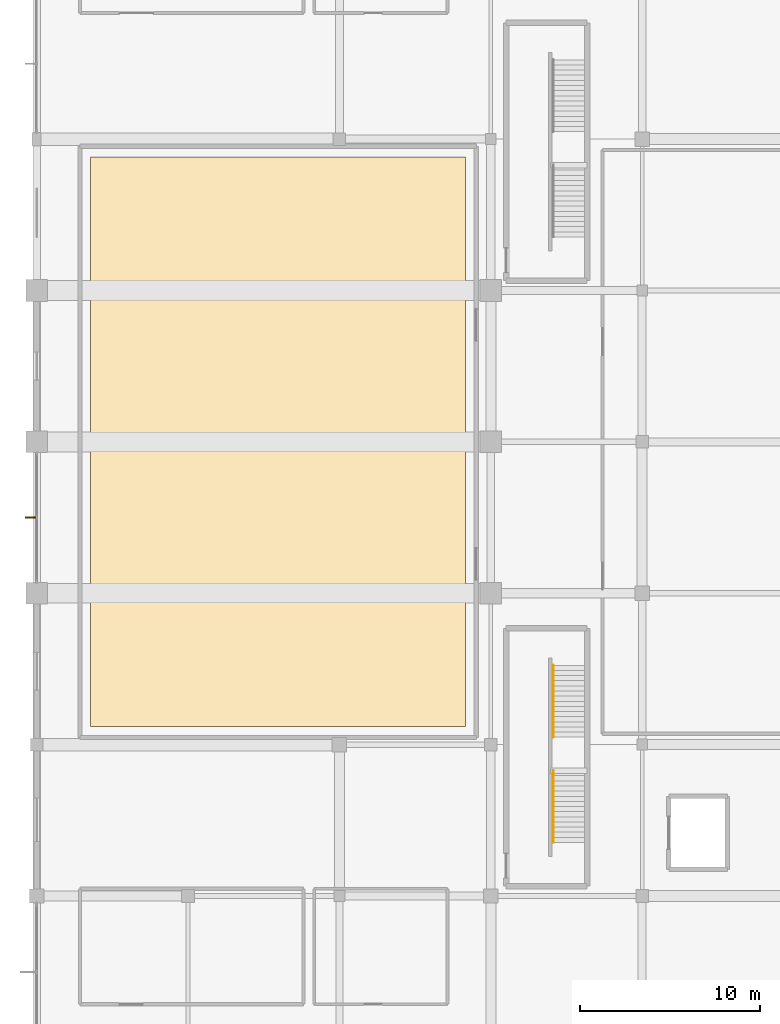
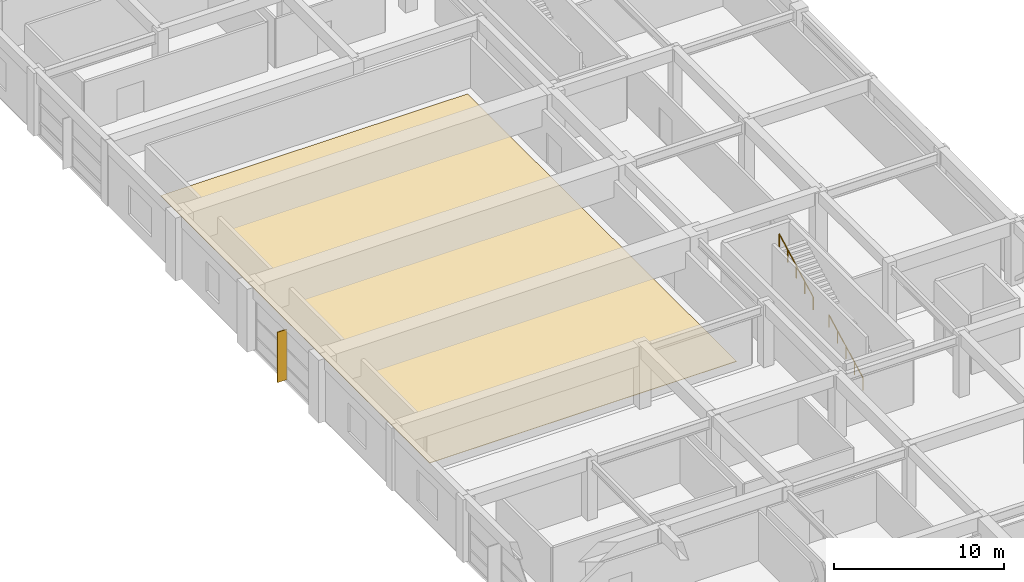
# One storey, part 59 of 65: 2 railings, 1 covering, 1 shading device.
"""IFC4 building model written with IfcOpenShell, lengths in metres."""

import ifcopenshell
import ifcopenshell.guid

model = None  # the IFC model being written
_history = None  # IfcOwnerHistory: only IFC2X3 demands one
_inside = {}  # id of a spatial element -> (the spatial element, [elements in it])
_under = {}  # id of a project, library or spatial element -> (it, [spatial elements below it])
_declared = {}  # id of a project -> (the project, [libraries it declares])
_typed = {}  # id of a type object -> (the type object, [elements of that type])
_made_of = {}  # id of a material, layer set ... -> (it, [elements and type objects made of it])


def new_model(schema):
    """Start an empty IFC model of exactly this schema.

    Asked for "IFC4X3", IfcOpenShell would pick the latest addendum, in which some entities
    have other attributes; the version numbers below select the first issue.
    IFC2X3 requires an IfcOwnerHistory on every rooted entity: one is made here for all.
    """
    global model, _history
    if schema == "IFC4X3":
        model = ifcopenshell.file(schema_version=(4, 3, 0, 0))
    else:
        model = ifcopenshell.file(schema=schema)
    _inside.clear()
    _under.clear()
    _declared.clear()
    _typed.clear()
    _made_of.clear()
    _history = None
    if model.schema == "IFC2X3":
        org = make("IfcOrganization", Name="unknown")
        user = make(
            "IfcPersonAndOrganization",
            ThePerson=make("IfcPerson", FamilyName="unknown"),
            TheOrganization=org,
        )
        app = make(
            "IfcApplication",
            ApplicationDeveloper=org,
            Version="unknown",
            ApplicationFullName="unknown",
            ApplicationIdentifier="unknown",
        )
        _history = make(
            "IfcOwnerHistory",
            OwningUser=user,
            OwningApplication=app,
            ChangeAction="ADDED",
            CreationDate=0,
        )
    return model


def make(cls, **values):
    """One entity of the class cls with the attributes given. An attribute that is None is left unset."""
    return model.create_entity(
        cls, **{name: value for name, value in values.items() if value is not None}
    )


def rooted(cls, **values):
    """An entity with a GlobalId (a new one), such as an element, a storey or a relation."""
    return make(cls, GlobalId=ifcopenshell.guid.new(), OwnerHistory=_history, **values)


def si_unit(unit_type, name, prefix=None):
    """IfcSIUnit, for example si_unit("LENGTHUNIT", "METRE", prefix="MILLI")."""
    return make("IfcSIUnit", UnitType=unit_type, Prefix=prefix, Name=name)


def assignment(units):
    """IfcUnitAssignment: the units of a project."""
    return None if units is None else make("IfcUnitAssignment", Units=units)


def point(xyz):
    """IfcCartesianPoint."""
    return None if xyz is None else make("IfcCartesianPoint", Coordinates=xyz)


def direction(xyz):
    """IfcDirection."""
    return None if xyz is None else make("IfcDirection", DirectionRatios=xyz)


def frame(location, z_axis=None, x_axis=None):
    """IfcAxis2Placement3D, a coordinate frame: its origin and axes. An axis left out is left unset."""
    return make(
        "IfcAxis2Placement3D",
        Location=point(location),
        Axis=direction(z_axis),
        RefDirection=direction(x_axis),
    )


def frame_2d(location, x_axis=None):
    """IfcAxis2Placement2D, a coordinate frame in the plane: its origin and x axis."""
    return make(
        "IfcAxis2Placement2D", Location=point(location), RefDirection=direction(x_axis)
    )


def origin():
    """The frame at (0, 0, 0) with its axes left unset."""
    return frame((0.0, 0.0, 0.0))


def origin_2d():
    """The frame at (0, 0) in the plane with its x axis left unset."""
    return frame_2d((0.0, 0.0))


def place(relative_to, where):
    """IfcLocalPlacement: puts the frame where relative to a parent placement (None: the world)."""
    return make(
        "IfcLocalPlacement", PlacementRelTo=relative_to, RelativePlacement=where
    )


def context(
    kind, dimensions, precision=None, world=None, true_north=None, identifier=None
):
    """IfcGeometricRepresentationContext, for example the 3D "Model" context."""
    return make(
        "IfcGeometricRepresentationContext",
        ContextIdentifier=identifier,
        ContextType=kind,
        CoordinateSpaceDimension=dimensions,
        Precision=precision,
        WorldCoordinateSystem=world,
        TrueNorth=true_north,
    )


def subcontext(parent, identifier, kind, view, scale=None):
    """IfcGeometricRepresentationSubContext, for example "Body" below "Model"."""
    return make(
        "IfcGeometricRepresentationSubContext",
        ContextIdentifier=identifier,
        ContextType=kind,
        ParentContext=parent,
        TargetScale=scale,
        TargetView=view,
    )


def project(units=None, contexts=None):
    """IfcProject with its units and contexts."""
    return rooted(
        "IfcProject",
        Name="project",
        RepresentationContexts=contexts,
        UnitsInContext=assignment(units),
    )


def spatial(cls, under=None, at=None, **own):
    """A site, building, storey or space (cls), placed at a placement, below another one or the project."""
    s = rooted(cls, ObjectPlacement=at, **own)
    if under is not None:
        _under.setdefault(under.id(), (under, []))[1].append(s)
    return s


def polyline(points):
    """IfcPolyline through the points."""
    return make("IfcPolyline", Points=[point(p) for p in points])


def profile(cls, at=None, kind="AREA", **sizes):
    """A parametric profile (cls). Its sizes go by their IFC names, for example OverallWidth=200.0."""
    return make(cls, ProfileType=kind, Position=at, **sizes)


def rectangle(**sizes):
    """IfcRectangleProfileDef."""
    return profile("IfcRectangleProfileDef", **sizes)


def circle(**sizes):
    """IfcCircleProfileDef."""
    return profile("IfcCircleProfileDef", **sizes)


def outline(outer, holes=None, kind="AREA"):
    """IfcArbitraryClosedProfileDef: a profile drawn as a closed curve; with holes, ...WithVoids."""
    if holes is None:
        return make("IfcArbitraryClosedProfileDef", ProfileType=kind, OuterCurve=outer)
    return make(
        "IfcArbitraryProfileDefWithVoids",
        ProfileType=kind,
        OuterCurve=outer,
        InnerCurves=holes,
    )


def extrude(swept, where, along, depth):
    """IfcExtrudedAreaSolid: the profile swept, set in the frame where, extruded along a direction by depth."""
    return make(
        "IfcExtrudedAreaSolid",
        SweptArea=swept,
        Position=where,
        ExtrudedDirection=direction(along),
        Depth=depth,
    )


def shape(context_of_items, identifier, shape_type, items):
    """IfcShapeRepresentation: the items that make up one representation, for example the "Body"."""
    return make(
        "IfcShapeRepresentation",
        ContextOfItems=context_of_items,
        RepresentationIdentifier=identifier,
        RepresentationType=shape_type,
        Items=items,
    )


def material(Name=None, Category=None):
    """IfcMaterial."""
    return make("IfcMaterial", Name=Name, Category=Category)


def layer(
    of_material, thickness, ventilated=None, Name=None, Category=None, Priority=None
):
    """IfcMaterialLayer: one layer of a wall or slab, of a material (None: an air gap)."""
    return make(
        "IfcMaterialLayer",
        Material=of_material,
        LayerThickness=thickness,
        IsVentilated=ventilated,
        Name=Name,
        Category=Category,
        Priority=Priority,
    )


def layer_set(layers, Name=None):
    """IfcMaterialLayerSet."""
    return make("IfcMaterialLayerSet", MaterialLayers=layers, LayerSetName=Name)


def made_of(thing, what):
    """Note that an element or type object is made of a material, layer set ...; save() writes the relation."""
    if what is not None:
        _made_of.setdefault(what.id(), (what, []))[1].append(thing)
    return thing


def type_object(cls, material=None, **own):
    """A type object (cls), such as IfcWallType, which elements share."""
    return made_of(rooted(cls, **own), material)


def element(
    cls,
    number,
    at=None,
    inside=None,
    cuts=None,
    type_object=None,
    material=None,
    context=None,
    identifier="Body",
    shape_type=None,
    held_by="IfcProductDefinitionShape",
    body=None,
    shapes=None,
    **own,
):
    """One element of the class cls, such as IfcWall. Its Tag is "e" and its number.

    at: its placement. inside: the storey or other place that contains it. cuts: it is an
    opening in that element (IfcRelVoidsElement). A single representation is given by context,
    identifier, shape_type and body (its items); several are given by shapes. held_by: the class
    of the entity that holds the representations. save() writes the other relations.
    """
    e = rooted(cls, Tag="e%d" % number, ObjectPlacement=at, **own)
    if body is not None:
        shapes = [shape(context, identifier, shape_type, body)]
    if shapes is not None:
        e.Representation = make(held_by, Representations=shapes)
    if inside is not None:
        _inside.setdefault(inside.id(), (inside, []))[1].append(e)
    if cuts is not None:
        rooted(
            "IfcRelVoidsElement", RelatingBuildingElement=cuts, RelatedOpeningElement=e
        )
    if type_object is not None:
        _typed.setdefault(type_object.id(), (type_object, []))[1].append(e)
    return made_of(e, material)


def aggregate(whole, parts):
    """IfcRelAggregates: a whole, such as a stair, and the parts it consists of."""
    return rooted("IfcRelAggregates", RelatingObject=whole, RelatedObjects=parts)


def save(model, path):
    """Write the relations noted so far, then the file.

    IfcRelAggregates (storeys below a building ...), IfcRelContainedInSpatialStructure (elements
    in a storey), IfcRelDefinesByType, IfcRelAssociatesMaterial and IfcRelDeclares: one each for
    every whole, place, type object, material and project.
    """
    for whole, parts in _under.values():
        aggregate(whole, parts)
    for where, things in _inside.values():
        rooted(
            "IfcRelContainedInSpatialStructure",
            RelatedElements=things,
            RelatingStructure=where,
        )
    for kind, things in _typed.values():
        rooted("IfcRelDefinesByType", RelatedObjects=things, RelatingType=kind)
    for what, things in _made_of.values():
        rooted("IfcRelAssociatesMaterial", RelatedObjects=things, RelatingMaterial=what)
    for by, libraries in _declared.values():
        rooted("IfcRelDeclares", RelatingContext=by, RelatedDefinitions=libraries)
    model.write(path)


model = new_model("IFC4")

# Units and contexts
model_context = context("Model", 3, precision=1e-05, world=origin(), true_north=direction((0.0, 1.0)))
body_context = subcontext(model_context, "Body", "Model", "MODEL_VIEW")
ifc_project = project(units=[si_unit("LENGTHUNIT", "METRE"), si_unit("AREAUNIT", "SQUARE_METRE"), si_unit("VOLUMEUNIT", "CUBIC_METRE"), si_unit("PLANEANGLEUNIT", "RADIAN"), si_unit("MASSUNIT", "GRAM", prefix="KILO")], contexts=[model_context])

# Site, building, storey
site_placement = place(None, origin())
site = spatial("IfcSite", under=ifc_project, at=site_placement, CompositionType="ELEMENT")
building_placement = place(site_placement, origin())
building = spatial("IfcBuilding", under=site, at=building_placement, Name="Xuanlan Plaza Opera House", CompositionType="ELEMENT")
storey_placement = place(building_placement, frame((0.0, 0.0, 5.39990234375)))
storey = spatial("IfcBuildingStorey", under=building, at=storey_placement, Name="L01", CompositionType="ELEMENT", Elevation=5.39990234375)

# Shading device
ifc_material_1 = material(Name="Anodised Aluminium 6063-T6", Category="aluminium")
shading_device_type = type_object("IfcShadingDeviceType", Name="ENV-SHD-BRS01", PredefinedType="JALOUSIE", material=ifc_material_1)
shading_device_placement = place(storey_placement, frame((-0.324951171875, 54.60009765625, 0.0400390625), z_axis=(0.0, 0.0, 1.0), x_axis=(-1.0, 0.0, 0.0)))
element("IfcShadingDevice", 1, at=shading_device_placement, inside=storey, type_object=shading_device_type, Name="Parametric Sunshade Fin L01-0094", PredefinedType="JALOUSIE", context=body_context, shape_type="SweptSolid", body=[
    extrude(rectangle(XDim=0.639892578125, YDim=0.070068359375, at=origin_2d()), origin(), (0.0, 0.0, 1.0), 3.60009765625),
])

# Covering
ifc_material_2 = material(Name="Oregon Pine Hardwood Timber", Category="wood")
ifc_layer = layer(ifc_material_2, 0.030029296875)
ifc_layer_set = layer_set([ifc_layer], Name="Oregon Pine Hardwood Timber")
covering_type = type_object("IfcCoveringType", Name="INT-COV-FLR-01", PredefinedType="FLOORING", material=ifc_layer_set)
covering_placement = place(storey_placement, origin())
element("IfcCovering", 2, at=covering_placement, inside=storey, type_object=covering_type, Name="Acoustic Floor Finish FLR-REH-L01", PredefinedType="FLOORING", context=body_context, shape_type="SweptSolid", body=[
    extrude(outline(polyline([(3.0, 43.0), (23.800048828125, 43.0), (23.800048828125, 74.60009765625), (3.0, 74.60009765625), (3.0, 43.0)])), origin(), (0.0, 0.0, 1.0), 0.030029296875),
])

# Railings
ifc_material_3 = material(Name="Stainless Steel S30408", Category="steel")
railing_type = type_object("IfcRailingType", Name="INT-RL-HR01", PredefinedType="HANDRAIL", material=ifc_material_3)
for number, where, name in (
    (3, (28.659912109375, 36.570068359375, 0.150146484375), "Stair Handrail ST-P1 L01 Flight 1"),
    (4, (28.659912109375, 42.409912109375, 2.400146484375), "Stair Handrail ST-P1 L01 Flight 2"),
):
    element("IfcRailing", number, at=place(storey_placement, frame(where)), inside=storey, type_object=railing_type, Name=name, PredefinedType="HANDRAIL", context=body_context, shape_type="SweptSolid", body=[
        extrude(circle(Radius=0.02392578125, at=origin_2d()), frame((0.0, 0.0, 0.8759765625), z_axis=(0.0, 0.884931142248, 0.465721884261), x_axis=(-1.0, 0.0, 0.0)), (0.0, 0.0, 1.0), 4.5087890625),
        extrude(circle(Radius=0.02099609375, at=origin_2d()), origin(), (0.0, 0.0, 1.0), 0.851806640625),
        extrude(circle(Radius=0.02099609375, at=origin_2d()), frame((0.0, 0.99755859375, 0.52490234375)), (0.0, 0.0, 1.0), 0.851806640625),
        extrude(circle(Radius=0.02099609375, at=origin_2d()), frame((0.0, 1.9951171875, 1.0498046875)), (0.0, 0.0, 1.0), 0.851806640625),
        extrude(circle(Radius=0.02099609375, at=origin_2d()), frame((0.0, 2.992431640625, 1.574951171875)), (0.0, 0.0, 1.0), 0.851806640625),
        extrude(circle(Radius=0.02099609375, at=origin_2d()), frame((0.0, 3.989990234375, 2.099853515625)), (0.0, 0.0, 1.0), 0.851806640625),
    ])

save(model, "model.ifc")
